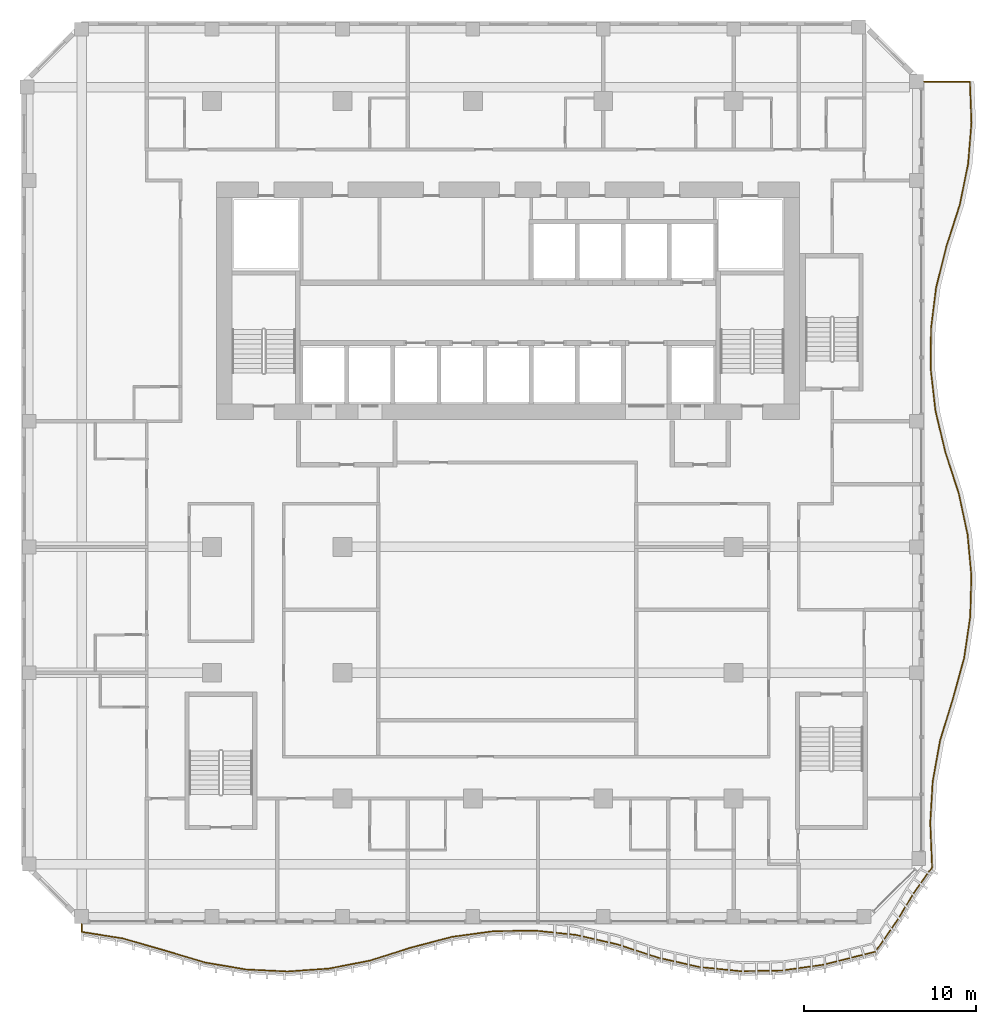
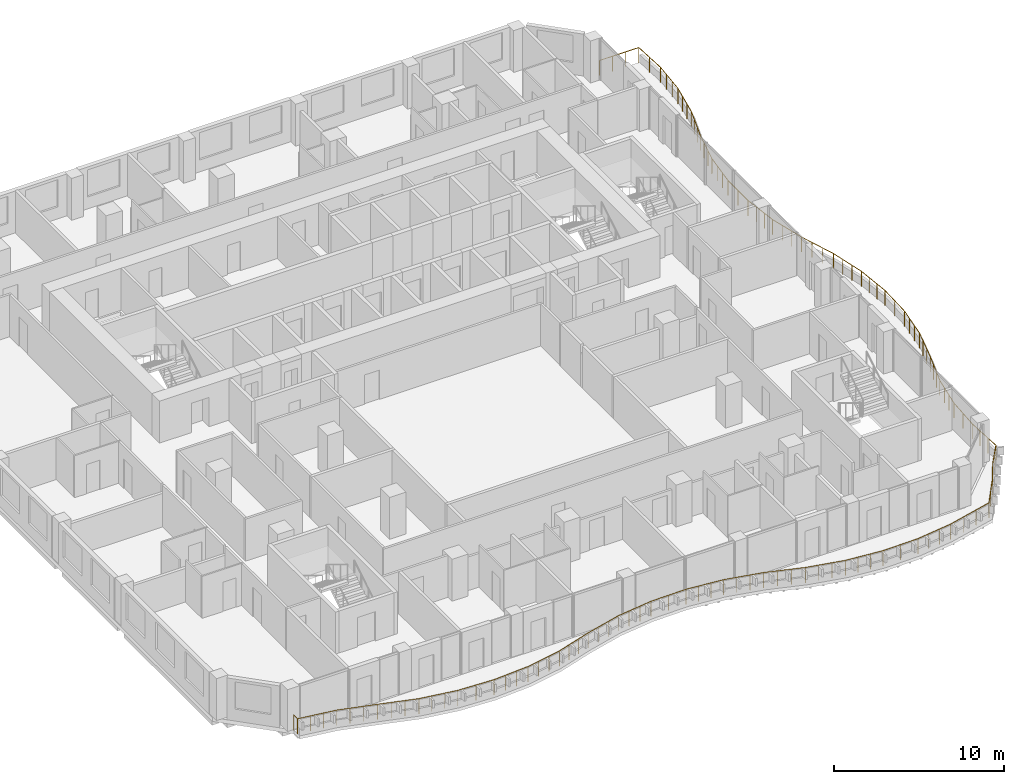
# One storey, part 22 of 23: 1 railing.
"""IFC4 building model written with IfcOpenShell, lengths in metres."""

from ifc_helpers import new_model, si_unit, direction, frame, origin, origin_2d, place, context, subcontext, project, spatial, circle, extrude, material, type_object, element, save


model = new_model("IFC4")

# Units and contexts
model_context = context("Model", 3, precision=1e-05, world=origin(), true_north=direction((0.0, 1.0)))
body_context = subcontext(model_context, "Body", "Model", "MODEL_VIEW")
ifc_project = project(units=[si_unit("LENGTHUNIT", "METRE"), si_unit("AREAUNIT", "SQUARE_METRE"), si_unit("VOLUMEUNIT", "CUBIC_METRE"), si_unit("PLANEANGLEUNIT", "RADIAN"), si_unit("MASSUNIT", "GRAM", prefix="KILO")], contexts=[model_context])

# Site, building, storey
site_placement = place(None, origin())
site = spatial("IfcSite", under=ifc_project, at=site_placement, CompositionType="ELEMENT")
building_placement = place(site_placement, origin())
building = spatial("IfcBuilding", under=site, at=building_placement, Name="Kilnfold Tower and Market Hall", CompositionType="ELEMENT")
storey_placement = place(building_placement, frame((0.0, 0.0, 160.89990234375)))
storey = spatial("IfcBuildingStorey", under=building, at=storey_placement, Name="L37", CompositionType="ELEMENT", Elevation=160.89990234375)

# Railing
ifc_material = material(Name="Stainless steel and laminated glass", Category="steel")
railing_type = type_object("IfcRailingType", Name="GUARD 1100", PredefinedType="GUARDRAIL", material=ifc_material)
railing_placement = place(storey_placement, frame((-23.75, -21.25, 0.0)))
element("IfcRailing", 1, at=railing_placement, inside=storey, type_object=railing_type, Name="Guard balcony L37", PredefinedType="GUARDRAIL", context=body_context, shape_type="SweptSolid", body=[
    extrude(circle(Radius=0.02490234375, at=origin_2d()), frame((0.0, 0.0, 1.0751953125), z_axis=(0.0, -1.0, 0.0), x_axis=(1.0, 0.0, 0.0)), (0.0, 0.0, 1.0), 0.4453125),
    extrude(circle(Radius=0.02490234375, at=origin_2d()), frame((0.0, -0.4453125, 1.0751953125), z_axis=(0.987650865761, -0.156670888686, 0.0), x_axis=(0.156670888686, 0.987650865761, 0.0)), (0.0, 0.0, 1.0), 2.4248046875),
    extrude(circle(Radius=0.02490234375, at=origin_2d()), frame((2.394775390625, -0.8251953125, 1.0751953125), z_axis=(0.961227557849, -0.275756381669, 0.0), x_axis=(0.275756381669, 0.961227557849, 0.0)), (0.0, 0.0, 1.0), 2.491455078125),
    extrude(circle(Radius=0.02490234375, at=origin_2d()), frame((4.78955078125, -1.51220703125, 1.0751953125), z_axis=(0.958239394231, -0.285967241733, 0.0), x_axis=(0.285967241733, 0.958239394231, 0.0)), (0.0, 0.0, 1.0), 2.498779296875),
    extrude(circle(Radius=0.02490234375, at=origin_2d()), frame((7.18408203125, -2.226806640625, 1.0751953125), z_axis=(0.985930978156, -0.167152942876, 0.0), x_axis=(0.167152942876, 0.985930978156, 0.0)), (0.0, 0.0, 1.0), 2.428955078125),
    extrude(circle(Radius=0.02490234375, at=origin_2d()), frame((9.578857421875, -2.6328125, 1.0751953125), z_axis=(0.998829571825, -0.048368238008, 0.0), x_axis=(0.048368238008, 0.998829571825, 0.0)), (0.0, 0.0, 1.0), 2.3974609375),
    extrude(circle(Radius=0.02490234375, at=origin_2d()), frame((11.9736328125, -2.748779296875, 1.0751953125), z_axis=(0.997499316582, 0.070676116324, 0.0), x_axis=(-0.070676116324, 0.997499316582, 0.0)), (0.0, 0.0, 1.0), 2.40087890625),
    extrude(circle(Radius=0.02490234375, at=origin_2d()), frame((14.368408203125, -2.5791015625, 1.0751953125), z_axis=(0.981864089464, 0.189586154087, 0.0), x_axis=(-0.189586154087, 0.981864089464, 0.0)), (0.0, 0.0, 1.0), 2.43896484375),
    extrude(circle(Radius=0.02490234375, at=origin_2d()), frame((16.76318359375, -2.11669921875, 1.0751953125), z_axis=(0.953347353448, 0.301875510226, 0.0), x_axis=(-0.301875510226, 0.953347353448, 0.0)), (0.0, 0.0, 1.0), 2.511962890625),
    extrude(circle(Radius=0.02490234375, at=origin_2d()), frame((19.157958984375, -1.3583984375, 1.0751953125), z_axis=(0.967366467513, 0.253381367765, 0.0), x_axis=(-0.253381367765, 0.967366467513, 0.0)), (0.0, 0.0, 1.0), 2.475341796875),
    extrude(circle(Radius=0.02490234375, at=origin_2d()), frame((21.552490234375, -0.731201171875, 1.0751953125), z_axis=(0.99093436759, 0.134346861253, 0.0), x_axis=(-0.134346861253, 0.99093436759, 0.0)), (0.0, 0.0, 1.0), 2.4169921875),
    extrude(circle(Radius=0.02490234375, at=origin_2d()), frame((23.947509765625, -0.406494140625, 1.0751953125), z_axis=(0.999879934552, 0.015495692297, 0.0), x_axis=(-0.015495692297, 0.999879934552, 0.0)), (0.0, 0.0, 1.0), 2.394775390625),
    extrude(circle(Radius=0.02490234375, at=origin_2d()), frame((26.342041015625, -0.369384765625, 1.0751953125), z_axis=(0.994626460365, -0.103528760937, 0.0), x_axis=(0.103528760937, 0.994626460365, 0.0)), (0.0, 0.0, 1.0), 2.40771484375),
    extrude(circle(Radius=0.02490234375, at=origin_2d()), frame((28.73681640625, -0.61865234375, 1.0751953125), z_axis=(0.974967577749, -0.2223470763, 0.0), x_axis=(0.2223470763, 0.974967577749, 0.0)), (0.0, 0.0, 1.0), 2.456298828125),
    extrude(circle(Radius=0.02490234375, at=origin_2d()), frame((31.131591796875, -1.164794921875, 1.0751953125), z_axis=(0.950660885118, -0.310231980147, 0.0), x_axis=(0.310231980147, 0.950660885118, 0.0)), (0.0, 0.0, 1.0), 2.51904296875),
    extrude(circle(Radius=0.02490234375, at=origin_2d()), frame((33.5263671875, -1.9462890625, 1.0751953125), z_axis=(0.975375488217, -0.220550803636, 0.0), x_axis=(0.220550803636, 0.975375488217, 0.0)), (0.0, 0.0, 1.0), 2.455322265625),
    extrude(circle(Radius=0.02490234375, at=origin_2d()), frame((35.921142578125, -2.48779296875, 1.0751953125), z_axis=(0.994833306385, -0.101521881914, 0.0), x_axis=(0.101521881914, 0.994833306385, 0.0)), (0.0, 0.0, 1.0), 2.4072265625),
    extrude(circle(Radius=0.02490234375, at=origin_2d()), frame((38.31591796875, -2.732177734375, 1.0751953125), z_axis=(0.99984982104, 0.017330186539, 0.0), x_axis=(-0.017330186539, 0.99984982104, 0.0)), (0.0, 0.0, 1.0), 2.394775390625),
    extrude(circle(Radius=0.02490234375, at=origin_2d()), frame((40.71044921875, -2.690673828125, 1.0751953125), z_axis=(0.990661625128, 0.136343479857, 0.0), x_axis=(-0.136343479857, 0.990661625128, 0.0)), (0.0, 0.0, 1.0), 2.417236328125),
    extrude(circle(Radius=0.02490234375, at=origin_2d()), frame((43.105224609375, -2.361083984375, 1.0751953125), z_axis=(0.970156174139, 0.242480922508, 0.0), x_axis=(-0.242480922508, 0.970156174139, 0.0)), (0.0, 0.0, 1.0), 3.150390625),
    extrude(circle(Radius=0.02490234375, at=origin_2d()), frame((46.16162109375, -1.59716796875, 1.0751953125), z_axis=(0.569599000783, 0.821922732565, 0.0), x_axis=(-0.821922732565, 0.569599000783, 0.0)), (0.0, 0.0, 1.0), 2.349365234375),
    extrude(circle(Radius=0.02490234375, at=origin_2d()), frame((47.499755859375, 0.333740234375, 1.0751953125), z_axis=(0.514179076421, 0.857682853606, 0.0), x_axis=(-0.857682853606, 0.514179076421, 0.0)), (0.0, 0.0, 1.0), 1.70068359375),
    extrude(circle(Radius=0.02490234375, at=origin_2d()), frame((48.374267578125, 1.79248046875, 1.0751953125), z_axis=(0.581089588577, 0.813839597247, 0.0), x_axis=(-0.813839597247, 0.581089588577, 0.0)), (0.0, 0.0, 1.0), 1.864990234375),
    extrude(circle(Radius=0.02490234375, at=origin_2d()), frame((49.4580078125, 3.310302734375, 1.0751953125), z_axis=(-0.041716911587, 0.999129470733, 0.0), x_axis=(-0.999129470733, -0.041716911587, 0.0)), (0.0, 0.0, 1.0), 2.586669921875),
    extrude(circle(Radius=0.02490234375, at=origin_2d()), frame((49.35009765625, 5.894775390625, 1.0751953125), z_axis=(0.058113467334, 0.998309984381, 0.0), x_axis=(-0.998309984381, 0.058113467334, 0.0)), (0.0, 0.0, 1.0), 2.39892578125),
    extrude(circle(Radius=0.02490234375, at=origin_2d()), frame((49.489501953125, 8.28955078125, 1.0751953125), z_axis=(0.177207427157, 0.984173525228, 0.0), x_axis=(-0.984173525228, 0.177207427157, 0.0)), (0.0, 0.0, 1.0), 2.43310546875),
    extrude(circle(Radius=0.02490234375, at=origin_2d()), frame((49.920654296875, 10.68408203125, 1.0751953125), z_axis=(0.294072154619, 0.95578322222, 0.0), x_axis=(-0.95578322222, 0.294072154619, 0.0)), (0.0, 0.0, 1.0), 2.505615234375),
    extrude(circle(Radius=0.02490234375, at=origin_2d()), frame((50.657470703125, 13.078857421875, 1.0751953125), z_axis=(0.265752630329, 0.964041254031, 0.0), x_axis=(-0.964041254031, 0.265752630329, 0.0)), (0.0, 0.0, 1.0), 2.484130859375),
    extrude(circle(Radius=0.02490234375, at=origin_2d()), frame((51.317626953125, 15.4736328125, 1.0751953125), z_axis=(0.146826411597, 0.989162274279, 0.0), x_axis=(-0.989162274279, 0.146826411597, 0.0)), (0.0, 0.0, 1.0), 2.4208984375),
    extrude(circle(Radius=0.02490234375, at=origin_2d()), frame((51.673095703125, 17.868408203125, 1.0751953125), z_axis=(0.027922638788, 0.999610087106, 0.0), x_axis=(-0.999610087106, 0.027922638788, 0.0)), (0.0, 0.0, 1.0), 2.395751953125),
    extrude(circle(Radius=0.02490234375, at=origin_2d()), frame((51.739990234375, 20.26318359375, 1.0751953125), z_axis=(-0.091066651573, 0.995844799641, 0.0), x_axis=(-0.995844799641, -0.091066651573, 0.0)), (0.0, 0.0, 1.0), 2.40478515625),
    extrude(circle(Radius=0.02490234375, at=origin_2d()), frame((51.52099609375, 22.657958984375, 1.0751953125), z_axis=(-0.209937537619, 0.977714800081, 0.0), x_axis=(-0.977714800081, -0.209937537619, 0.0)), (0.0, 0.0, 1.0), 2.44921875),
    extrude(circle(Radius=0.02490234375, at=origin_2d()), frame((51.0068359375, 25.052490234375, 1.0751953125), z_axis=(-0.309151832949, 0.951012694019, 0.0), x_axis=(-0.951012694019, -0.309151832949, 0.0)), (0.0, 0.0, 1.0), 2.518310546875),
    extrude(circle(Radius=0.02490234375, at=origin_2d()), frame((50.228271484375, 27.447509765625, 1.0751953125), z_axis=(-0.232911659761, 0.972497896526, 0.0), x_axis=(-0.972497896526, -0.232911659761, 0.0)), (0.0, 0.0, 1.0), 2.462158203125),
    extrude(circle(Radius=0.02490234375, at=origin_2d()), frame((49.65478515625, 29.842041015625, 1.0751953125), z_axis=(-0.114043601737, 0.993475745503, 0.0), x_axis=(-0.993475745503, -0.114043601737, 0.0)), (0.0, 0.0, 1.0), 2.410400390625),
    extrude(circle(Radius=0.02490234375, at=origin_2d()), frame((49.3798828125, 32.23681640625, 1.0751953125), z_axis=(0.004893406597, 0.999988027214, 0.0), x_axis=(-0.999988027214, 0.004893406597, 0.0)), (0.0, 0.0, 1.0), 2.394775390625),
    extrude(circle(Radius=0.02490234375, at=origin_2d()), frame((49.3916015625, 34.631591796875, 1.0751953125), z_axis=(0.123922678127, 0.992291877345, 0.0), x_axis=(-0.992291877345, 0.123922678127, 0.0)), (0.0, 0.0, 1.0), 2.413330078125),
    extrude(circle(Radius=0.02490234375, at=origin_2d()), frame((49.690673828125, 37.0263671875, 1.0751953125), z_axis=(0.24279158472, 0.970078474346, 0.0), x_axis=(-0.970078474346, 0.24279158472, 0.0)), (0.0, 0.0, 1.0), 2.46875),
    extrude(circle(Radius=0.02490234375, at=origin_2d()), frame((50.2900390625, 39.421142578125, 1.0751953125), z_axis=(0.306546267932, 0.95185575883, 0.0), x_axis=(-0.95185575883, 0.306546267932, 0.0)), (0.0, 0.0, 1.0), 2.515869140625),
    extrude(circle(Radius=0.02490234375, at=origin_2d()), frame((51.061279296875, 41.81591796875, 1.0751953125), z_axis=(0.200091140821, 0.979777288655, 0.0), x_axis=(-0.979777288655, 0.200091140821, 0.0)), (0.0, 0.0, 1.0), 2.44384765625),
    extrude(circle(Radius=0.02490234375, at=origin_2d()), frame((51.55029296875, 44.21044921875, 1.0751953125), z_axis=(0.081186911646, 0.996698894038, 0.0), x_axis=(-0.996698894038, 0.081186911646, 0.0)), (0.0, 0.0, 1.0), 2.402587890625),
    extrude(circle(Radius=0.02490234375, at=origin_2d()), frame((51.745361328125, 46.605224609375, 1.0751953125), z_axis=(-0.037795383853, 0.999285499224, 0.0), x_axis=(-0.999285499224, -0.037795383853, 0.0)), (0.0, 0.0, 1.0), 2.396484375),
    extrude(circle(Radius=0.02490234375, at=origin_2d()), frame((51.65478515625, 49.0, 1.0751953125), z_axis=(-1.0, 0.0, 0.0), x_axis=(0.0, -1.0, 0.0)), (0.0, 0.0, 1.0), 2.65478515625),
    extrude(circle(Radius=0.02490234375, at=origin_2d()), origin(), (0.0, 0.0, 1.0), 1.050048828125),
    extrude(circle(Radius=0.02490234375, at=origin_2d()), frame((0.0, -0.4453125, 0.0)), (0.0, 0.0, 1.0), 1.050048828125),
    extrude(circle(Radius=0.02490234375, at=origin_2d()), frame((0.79833984375, -0.572021484375, 0.0)), (0.0, 0.0, 1.0), 1.050048828125),
    extrude(circle(Radius=0.02490234375, at=origin_2d()), frame((1.596435546875, -0.698486328125, 0.0)), (0.0, 0.0, 1.0), 1.050048828125),
    extrude(circle(Radius=0.02490234375, at=origin_2d()), frame((2.394775390625, -0.8251953125, 0.0)), (0.0, 0.0, 1.0), 1.050048828125),
    extrude(circle(Radius=0.02490234375, at=origin_2d()), frame((3.193115234375, -1.05419921875, 0.0)), (0.0, 0.0, 1.0), 1.050048828125),
    extrude(circle(Radius=0.02490234375, at=origin_2d()), frame((3.9912109375, -1.283203125, 0.0)), (0.0, 0.0, 1.0), 1.050048828125),
    extrude(circle(Radius=0.02490234375, at=origin_2d()), frame((4.78955078125, -1.51220703125, 0.0)), (0.0, 0.0, 1.0), 1.050048828125),
    extrude(circle(Radius=0.02490234375, at=origin_2d()), frame((5.587646484375, -1.75048828125, 0.0)), (0.0, 0.0, 1.0), 1.050048828125),
    extrude(circle(Radius=0.02490234375, at=origin_2d()), frame((6.385986328125, -1.988525390625, 0.0)), (0.0, 0.0, 1.0), 1.050048828125),
    extrude(circle(Radius=0.02490234375, at=origin_2d()), frame((7.18408203125, -2.226806640625, 0.0)), (0.0, 0.0, 1.0), 1.050048828125),
    extrude(circle(Radius=0.02490234375, at=origin_2d()), frame((7.982421875, -2.362060546875, 0.0)), (0.0, 0.0, 1.0), 1.050048828125),
    extrude(circle(Radius=0.02490234375, at=origin_2d()), frame((8.780517578125, -2.49755859375, 0.0)), (0.0, 0.0, 1.0), 1.050048828125),
    extrude(circle(Radius=0.02490234375, at=origin_2d()), frame((9.578857421875, -2.6328125, 0.0)), (0.0, 0.0, 1.0), 1.050048828125),
    extrude(circle(Radius=0.02490234375, at=origin_2d()), frame((10.7763671875, -2.69091796875, 0.0)), (0.0, 0.0, 1.0), 1.050048828125),
    extrude(circle(Radius=0.02490234375, at=origin_2d()), frame((11.9736328125, -2.748779296875, 0.0)), (0.0, 0.0, 1.0), 1.050048828125),
    extrude(circle(Radius=0.02490234375, at=origin_2d()), frame((12.77197265625, -2.692138671875, 0.0)), (0.0, 0.0, 1.0), 1.050048828125),
    extrude(circle(Radius=0.02490234375, at=origin_2d()), frame((13.570068359375, -2.6357421875, 0.0)), (0.0, 0.0, 1.0), 1.050048828125),
    extrude(circle(Radius=0.02490234375, at=origin_2d()), frame((14.368408203125, -2.5791015625, 0.0)), (0.0, 0.0, 1.0), 1.050048828125),
    extrude(circle(Radius=0.02490234375, at=origin_2d()), frame((15.166748046875, -2.425048828125, 0.0)), (0.0, 0.0, 1.0), 1.050048828125),
    extrude(circle(Radius=0.02490234375, at=origin_2d()), frame((15.96484375, -2.270751953125, 0.0)), (0.0, 0.0, 1.0), 1.050048828125),
    extrude(circle(Radius=0.02490234375, at=origin_2d()), frame((16.76318359375, -2.11669921875, 0.0)), (0.0, 0.0, 1.0), 1.050048828125),
    extrude(circle(Radius=0.02490234375, at=origin_2d()), frame((17.5615234375, -1.864013671875, 0.0)), (0.0, 0.0, 1.0), 1.050048828125),
    extrude(circle(Radius=0.02490234375, at=origin_2d()), frame((18.359619140625, -1.611083984375, 0.0)), (0.0, 0.0, 1.0), 1.050048828125),
    extrude(circle(Radius=0.02490234375, at=origin_2d()), frame((19.157958984375, -1.3583984375, 0.0)), (0.0, 0.0, 1.0), 1.050048828125),
    extrude(circle(Radius=0.02490234375, at=origin_2d()), frame((19.9560546875, -1.1494140625, 0.0)), (0.0, 0.0, 1.0), 1.050048828125),
    extrude(circle(Radius=0.02490234375, at=origin_2d()), frame((20.75439453125, -0.940185546875, 0.0)), (0.0, 0.0, 1.0), 1.050048828125),
    extrude(circle(Radius=0.02490234375, at=origin_2d()), frame((21.552490234375, -0.731201171875, 0.0)), (0.0, 0.0, 1.0), 1.050048828125),
    extrude(circle(Radius=0.02490234375, at=origin_2d()), frame((22.350830078125, -0.623046875, 0.0)), (0.0, 0.0, 1.0), 1.050048828125),
    extrude(circle(Radius=0.02490234375, at=origin_2d()), frame((23.149169921875, -0.5146484375, 0.0)), (0.0, 0.0, 1.0), 1.050048828125),
    extrude(circle(Radius=0.02490234375, at=origin_2d()), frame((23.947509765625, -0.406494140625, 0.0)), (0.0, 0.0, 1.0), 1.050048828125),
    extrude(circle(Radius=0.02490234375, at=origin_2d()), frame((25.144775390625, -0.387939453125, 0.0)), (0.0, 0.0, 1.0), 1.050048828125),
    extrude(circle(Radius=0.02490234375, at=origin_2d()), frame((26.342041015625, -0.369384765625, 0.0)), (0.0, 0.0, 1.0), 1.050048828125),
    extrude(circle(Radius=0.02490234375, at=origin_2d()), frame((27.140380859375, -0.452392578125, 0.0)), (0.0, 0.0, 1.0), 1.050048828125),
    extrude(circle(Radius=0.02490234375, at=origin_2d()), frame((27.9384765625, -0.53564453125, 0.0)), (0.0, 0.0, 1.0), 1.050048828125),
    extrude(circle(Radius=0.02490234375, at=origin_2d()), frame((28.73681640625, -0.61865234375, 0.0)), (0.0, 0.0, 1.0), 1.050048828125),
    extrude(circle(Radius=0.02490234375, at=origin_2d()), frame((29.53515625, -0.80078125, 0.0)), (0.0, 0.0, 1.0), 1.050048828125),
    extrude(circle(Radius=0.02490234375, at=origin_2d()), frame((30.333251953125, -0.982666015625, 0.0)), (0.0, 0.0, 1.0), 1.050048828125),
    extrude(circle(Radius=0.02490234375, at=origin_2d()), frame((31.131591796875, -1.164794921875, 0.0)), (0.0, 0.0, 1.0), 1.050048828125),
    extrude(circle(Radius=0.02490234375, at=origin_2d()), frame((31.929931640625, -1.42529296875, 0.0)), (0.0, 0.0, 1.0), 1.050048828125),
    extrude(circle(Radius=0.02490234375, at=origin_2d()), frame((32.72802734375, -1.685791015625, 0.0)), (0.0, 0.0, 1.0), 1.050048828125),
    extrude(circle(Radius=0.02490234375, at=origin_2d()), frame((33.5263671875, -1.9462890625, 0.0)), (0.0, 0.0, 1.0), 1.050048828125),
    extrude(circle(Radius=0.02490234375, at=origin_2d()), frame((34.32470703125, -2.126708984375, 0.0)), (0.0, 0.0, 1.0), 1.050048828125),
    extrude(circle(Radius=0.02490234375, at=origin_2d()), frame((35.122802734375, -2.307373046875, 0.0)), (0.0, 0.0, 1.0), 1.050048828125),
    extrude(circle(Radius=0.02490234375, at=origin_2d()), frame((35.921142578125, -2.48779296875, 0.0)), (0.0, 0.0, 1.0), 1.050048828125),
    extrude(circle(Radius=0.02490234375, at=origin_2d()), frame((36.719482421875, -2.5693359375, 0.0)), (0.0, 0.0, 1.0), 1.050048828125),
    extrude(circle(Radius=0.02490234375, at=origin_2d()), frame((37.517578125, -2.650634765625, 0.0)), (0.0, 0.0, 1.0), 1.050048828125),
    extrude(circle(Radius=0.02490234375, at=origin_2d()), frame((38.31591796875, -2.732177734375, 0.0)), (0.0, 0.0, 1.0), 1.050048828125),
    extrude(circle(Radius=0.02490234375, at=origin_2d()), frame((39.51318359375, -2.71142578125, 0.0)), (0.0, 0.0, 1.0), 1.050048828125),
    extrude(circle(Radius=0.02490234375, at=origin_2d()), frame((40.71044921875, -2.690673828125, 0.0)), (0.0, 0.0, 1.0), 1.050048828125),
    extrude(circle(Radius=0.02490234375, at=origin_2d()), frame((41.5087890625, -2.580810546875, 0.0)), (0.0, 0.0, 1.0), 1.050048828125),
    extrude(circle(Radius=0.02490234375, at=origin_2d()), frame((42.306884765625, -2.470947265625, 0.0)), (0.0, 0.0, 1.0), 1.050048828125),
    extrude(circle(Radius=0.02490234375, at=origin_2d()), frame((43.105224609375, -2.361083984375, 0.0)), (0.0, 0.0, 1.0), 1.050048828125),
    extrude(circle(Radius=0.02490234375, at=origin_2d()), frame((44.1240234375, -2.1064453125, 0.0)), (0.0, 0.0, 1.0), 1.050048828125),
    extrude(circle(Radius=0.02490234375, at=origin_2d()), frame((45.142822265625, -1.851806640625, 0.0)), (0.0, 0.0, 1.0), 1.050048828125),
    extrude(circle(Radius=0.02490234375, at=origin_2d()), frame((46.16162109375, -1.59716796875, 0.0)), (0.0, 0.0, 1.0), 1.050048828125),
    extrude(circle(Radius=0.02490234375, at=origin_2d()), frame((46.83056640625, -0.6318359375, 0.0)), (0.0, 0.0, 1.0), 1.050048828125),
    extrude(circle(Radius=0.02490234375, at=origin_2d()), frame((47.499755859375, 0.333740234375, 0.0)), (0.0, 0.0, 1.0), 1.050048828125),
    extrude(circle(Radius=0.02490234375, at=origin_2d()), frame((47.93701171875, 1.06298828125, 0.0)), (0.0, 0.0, 1.0), 1.050048828125),
    extrude(circle(Radius=0.02490234375, at=origin_2d()), frame((48.374267578125, 1.79248046875, 0.0)), (0.0, 0.0, 1.0), 1.050048828125),
    extrude(circle(Radius=0.02490234375, at=origin_2d()), frame((48.916015625, 2.55126953125, 0.0)), (0.0, 0.0, 1.0), 1.050048828125),
    extrude(circle(Radius=0.02490234375, at=origin_2d()), frame((49.4580078125, 3.310302734375, 0.0)), (0.0, 0.0, 1.0), 1.050048828125),
    extrude(circle(Radius=0.02490234375, at=origin_2d()), frame((49.422119140625, 4.171875, 0.0)), (0.0, 0.0, 1.0), 1.050048828125),
    extrude(circle(Radius=0.02490234375, at=origin_2d()), frame((49.385986328125, 5.033203125, 0.0)), (0.0, 0.0, 1.0), 1.050048828125),
    extrude(circle(Radius=0.02490234375, at=origin_2d()), frame((49.35009765625, 5.894775390625, 0.0)), (0.0, 0.0, 1.0), 1.050048828125),
    extrude(circle(Radius=0.02490234375, at=origin_2d()), frame((49.419921875, 7.09228515625, 0.0)), (0.0, 0.0, 1.0), 1.050048828125),
    extrude(circle(Radius=0.02490234375, at=origin_2d()), frame((49.489501953125, 8.28955078125, 0.0)), (0.0, 0.0, 1.0), 1.050048828125),
    extrude(circle(Radius=0.02490234375, at=origin_2d()), frame((49.63330078125, 9.087646484375, 0.0)), (0.0, 0.0, 1.0), 1.050048828125),
    extrude(circle(Radius=0.02490234375, at=origin_2d()), frame((49.77685546875, 9.885986328125, 0.0)), (0.0, 0.0, 1.0), 1.050048828125),
    extrude(circle(Radius=0.02490234375, at=origin_2d()), frame((49.920654296875, 10.68408203125, 0.0)), (0.0, 0.0, 1.0), 1.050048828125),
    extrude(circle(Radius=0.02490234375, at=origin_2d()), frame((50.166259765625, 11.482421875, 0.0)), (0.0, 0.0, 1.0), 1.050048828125),
    extrude(circle(Radius=0.02490234375, at=origin_2d()), frame((50.411865234375, 12.280517578125, 0.0)), (0.0, 0.0, 1.0), 1.050048828125),
    extrude(circle(Radius=0.02490234375, at=origin_2d()), frame((50.657470703125, 13.078857421875, 0.0)), (0.0, 0.0, 1.0), 1.050048828125),
    extrude(circle(Radius=0.02490234375, at=origin_2d()), frame((50.87744140625, 13.877197265625, 0.0)), (0.0, 0.0, 1.0), 1.050048828125),
    extrude(circle(Radius=0.02490234375, at=origin_2d()), frame((51.09765625, 14.67529296875, 0.0)), (0.0, 0.0, 1.0), 1.050048828125),
    extrude(circle(Radius=0.02490234375, at=origin_2d()), frame((51.317626953125, 15.4736328125, 0.0)), (0.0, 0.0, 1.0), 1.050048828125),
    extrude(circle(Radius=0.02490234375, at=origin_2d()), frame((51.43603515625, 16.27197265625, 0.0)), (0.0, 0.0, 1.0), 1.050048828125),
    extrude(circle(Radius=0.02490234375, at=origin_2d()), frame((51.5546875, 17.070068359375, 0.0)), (0.0, 0.0, 1.0), 1.050048828125),
    extrude(circle(Radius=0.02490234375, at=origin_2d()), frame((51.673095703125, 17.868408203125, 0.0)), (0.0, 0.0, 1.0), 1.050048828125),
    extrude(circle(Radius=0.02490234375, at=origin_2d()), frame((51.70654296875, 19.06591796875, 0.0)), (0.0, 0.0, 1.0), 1.050048828125),
    extrude(circle(Radius=0.02490234375, at=origin_2d()), frame((51.739990234375, 20.26318359375, 0.0)), (0.0, 0.0, 1.0), 1.050048828125),
    extrude(circle(Radius=0.02490234375, at=origin_2d()), frame((51.6669921875, 21.0615234375, 0.0)), (0.0, 0.0, 1.0), 1.050048828125),
    extrude(circle(Radius=0.02490234375, at=origin_2d()), frame((51.593994140625, 21.859619140625, 0.0)), (0.0, 0.0, 1.0), 1.050048828125),
    extrude(circle(Radius=0.02490234375, at=origin_2d()), frame((51.52099609375, 22.657958984375, 0.0)), (0.0, 0.0, 1.0), 1.050048828125),
    extrude(circle(Radius=0.02490234375, at=origin_2d()), frame((51.349609375, 23.4560546875, 0.0)), (0.0, 0.0, 1.0), 1.050048828125),
    extrude(circle(Radius=0.02490234375, at=origin_2d()), frame((51.17822265625, 24.25439453125, 0.0)), (0.0, 0.0, 1.0), 1.050048828125),
    extrude(circle(Radius=0.02490234375, at=origin_2d()), frame((51.0068359375, 25.052490234375, 0.0)), (0.0, 0.0, 1.0), 1.050048828125),
    extrude(circle(Radius=0.02490234375, at=origin_2d()), frame((50.747314453125, 25.850830078125, 0.0)), (0.0, 0.0, 1.0), 1.050048828125),
    extrude(circle(Radius=0.02490234375, at=origin_2d()), frame((50.48779296875, 26.649169921875, 0.0)), (0.0, 0.0, 1.0), 1.050048828125),
    extrude(circle(Radius=0.02490234375, at=origin_2d()), frame((50.228271484375, 27.447509765625, 0.0)), (0.0, 0.0, 1.0), 1.050048828125),
    extrude(circle(Radius=0.02490234375, at=origin_2d()), frame((50.037109375, 28.24560546875, 0.0)), (0.0, 0.0, 1.0), 1.050048828125),
    extrude(circle(Radius=0.02490234375, at=origin_2d()), frame((49.845947265625, 29.0439453125, 0.0)), (0.0, 0.0, 1.0), 1.050048828125),
    extrude(circle(Radius=0.02490234375, at=origin_2d()), frame((49.65478515625, 29.842041015625, 0.0)), (0.0, 0.0, 1.0), 1.050048828125),
    extrude(circle(Radius=0.02490234375, at=origin_2d()), frame((49.563232421875, 30.640380859375, 0.0)), (0.0, 0.0, 1.0), 1.050048828125),
    extrude(circle(Radius=0.02490234375, at=origin_2d()), frame((49.471435546875, 31.4384765625, 0.0)), (0.0, 0.0, 1.0), 1.050048828125),
    extrude(circle(Radius=0.02490234375, at=origin_2d()), frame((49.3798828125, 32.23681640625, 0.0)), (0.0, 0.0, 1.0), 1.050048828125),
    extrude(circle(Radius=0.02490234375, at=origin_2d()), frame((49.3857421875, 33.43408203125, 0.0)), (0.0, 0.0, 1.0), 1.050048828125),
    extrude(circle(Radius=0.02490234375, at=origin_2d()), frame((49.3916015625, 34.631591796875, 0.0)), (0.0, 0.0, 1.0), 1.050048828125),
    extrude(circle(Radius=0.02490234375, at=origin_2d()), frame((49.4912109375, 35.429931640625, 0.0)), (0.0, 0.0, 1.0), 1.050048828125),
    extrude(circle(Radius=0.02490234375, at=origin_2d()), frame((49.591064453125, 36.22802734375, 0.0)), (0.0, 0.0, 1.0), 1.050048828125),
    extrude(circle(Radius=0.02490234375, at=origin_2d()), frame((49.690673828125, 37.0263671875, 0.0)), (0.0, 0.0, 1.0), 1.050048828125),
    extrude(circle(Radius=0.02490234375, at=origin_2d()), frame((49.890380859375, 37.82470703125, 0.0)), (0.0, 0.0, 1.0), 1.050048828125),
    extrude(circle(Radius=0.02490234375, at=origin_2d()), frame((50.09033203125, 38.622802734375, 0.0)), (0.0, 0.0, 1.0), 1.050048828125),
    extrude(circle(Radius=0.02490234375, at=origin_2d()), frame((50.2900390625, 39.421142578125, 0.0)), (0.0, 0.0, 1.0), 1.050048828125),
    extrude(circle(Radius=0.02490234375, at=origin_2d()), frame((50.547119140625, 40.219482421875, 0.0)), (0.0, 0.0, 1.0), 1.050048828125),
    extrude(circle(Radius=0.02490234375, at=origin_2d()), frame((50.80419921875, 41.017578125, 0.0)), (0.0, 0.0, 1.0), 1.050048828125),
    extrude(circle(Radius=0.02490234375, at=origin_2d()), frame((51.061279296875, 41.81591796875, 0.0)), (0.0, 0.0, 1.0), 1.050048828125),
    extrude(circle(Radius=0.02490234375, at=origin_2d()), frame((51.224365234375, 42.614013671875, 0.0)), (0.0, 0.0, 1.0), 1.050048828125),
    extrude(circle(Radius=0.02490234375, at=origin_2d()), frame((51.38720703125, 43.412353515625, 0.0)), (0.0, 0.0, 1.0), 1.050048828125),
    extrude(circle(Radius=0.02490234375, at=origin_2d()), frame((51.55029296875, 44.21044921875, 0.0)), (0.0, 0.0, 1.0), 1.050048828125),
    extrude(circle(Radius=0.02490234375, at=origin_2d()), frame((51.615234375, 45.0087890625, 0.0)), (0.0, 0.0, 1.0), 1.050048828125),
    extrude(circle(Radius=0.02490234375, at=origin_2d()), frame((51.680419921875, 45.806884765625, 0.0)), (0.0, 0.0, 1.0), 1.050048828125),
    extrude(circle(Radius=0.02490234375, at=origin_2d()), frame((51.745361328125, 46.605224609375, 0.0)), (0.0, 0.0, 1.0), 1.050048828125),
    extrude(circle(Radius=0.02490234375, at=origin_2d()), frame((51.7001953125, 47.802734375, 0.0)), (0.0, 0.0, 1.0), 1.050048828125),
    extrude(circle(Radius=0.02490234375, at=origin_2d()), frame((51.65478515625, 49.0, 0.0)), (0.0, 0.0, 1.0), 1.050048828125),
    extrude(circle(Radius=0.02490234375, at=origin_2d()), frame((50.769775390625, 49.0, 0.0)), (0.0, 0.0, 1.0), 1.050048828125),
    extrude(circle(Radius=0.02490234375, at=origin_2d()), frame((49.885009765625, 49.0, 0.0)), (0.0, 0.0, 1.0), 1.050048828125),
    extrude(circle(Radius=0.02490234375, at=origin_2d()), frame((49.0, 49.0, 0.0)), (0.0, 0.0, 1.0), 1.050048828125),
])

save(model, "model.ifc")
